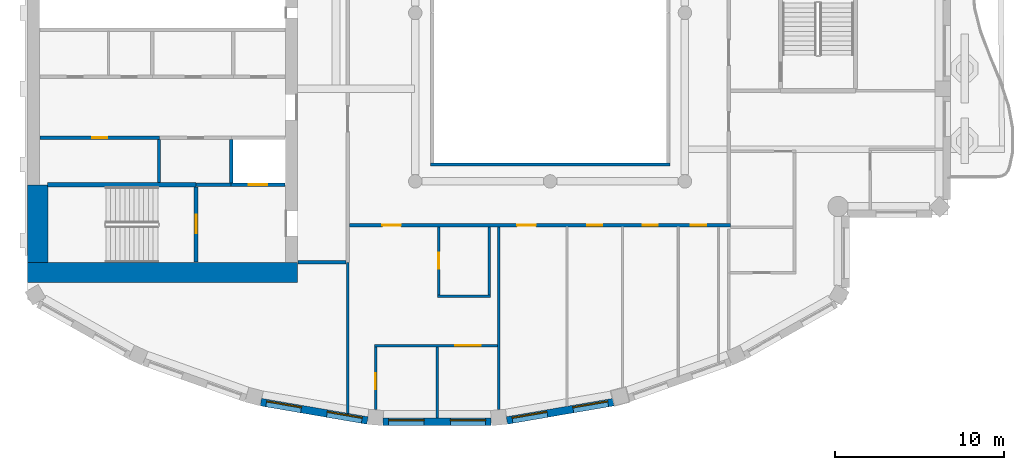
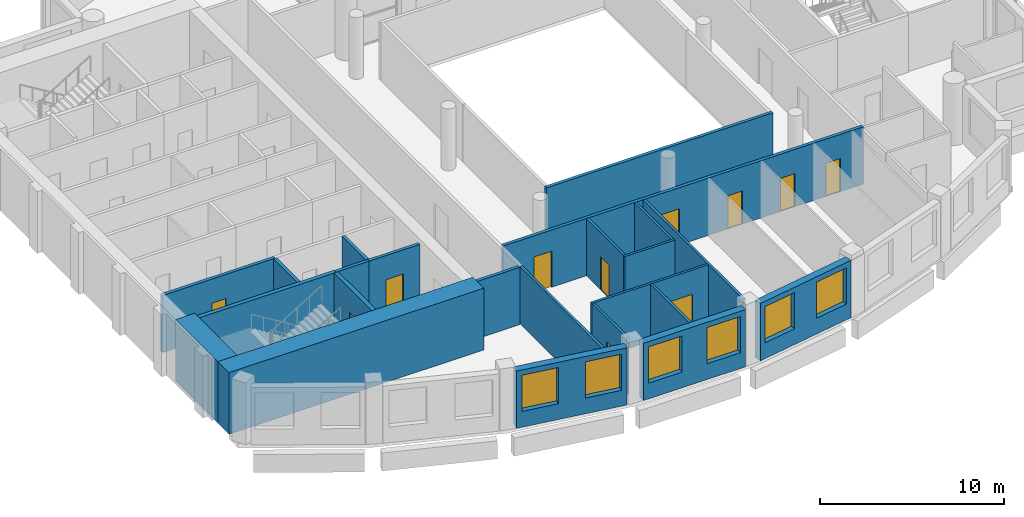
# One storey, part 4 of 15: 23 walls, 11 doors, 6 windows, 17 openings.
"""IFC4 building model written with IfcOpenShell, lengths in metres."""

from ifc_helpers import new_model, si_unit, direction, frame, frame_2d, origin, place, context, subcontext, project, spatial, rectangle, extrude, material, layer, layer_set, type_object, element, fill, save


model = new_model("IFC4")

# Units and contexts
model_context = context("Model", 3, precision=1e-05, world=origin(), true_north=direction((0.0, 1.0)))
body_context = subcontext(model_context, "Body", "Model", "MODEL_VIEW")
ifc_project = project(units=[si_unit("LENGTHUNIT", "METRE"), si_unit("AREAUNIT", "SQUARE_METRE"), si_unit("VOLUMEUNIT", "CUBIC_METRE"), si_unit("PLANEANGLEUNIT", "RADIAN"), si_unit("MASSUNIT", "GRAM", prefix="KILO")], contexts=[model_context])

# Site, building, storey
site_placement = place(None, origin())
site = spatial("IfcSite", under=ifc_project, at=site_placement, CompositionType="ELEMENT")
building_placement = place(site_placement, origin())
building = spatial("IfcBuilding", under=site, at=building_placement, Name="Cypress Arch Tower", CompositionType="ELEMENT")
storey_placement = place(building_placement, frame((0.0, 0.0, 317.199951171875)))
storey = spatial("IfcBuildingStorey", under=building, at=storey_placement, Name="L72", CompositionType="ELEMENT", Elevation=317.199951171875)

# Wall, openings, windows
ifc_material_1 = material(Name="Brick (red buff blend)", Category="masonry")
ifc_layer_1 = layer(ifc_material_1, 0.449951171875)
ifc_layer_set_1 = layer_set([ifc_layer_1], Name="Brick pier and spandrel wall BW450")
wall_type_1 = type_object("IfcWallType", Name="Brick pier and spandrel wall BW450", PredefinedType="SOLIDWALL", material=ifc_layer_set_1)
wall_1_placement = place(storey_placement, frame((-16.15673828125, -23.09716796875, 0.0), z_axis=(0.0, 0.0, 1.0), x_axis=(0.985502073964, -0.169663379113, 0.0)))
wall_1 = element("IfcWall", 1, at=wall_1_placement, inside=storey, type_object=wall_type_1, Name="Brick wall L72 C10.0", PredefinedType="SOLIDWALL", context=body_context, shape_type="SweptSolid", body=[
    extrude(rectangle(XDim=6.412109375, YDim=0.449951171875, at=frame_2d((3.2060546875, 0.0))), origin(), (0.0, 0.0, 1.0), 3.800048828125),
])
opening_1_placement = place(wall_1_placement, frame((0.3271484375, 0.0, 1.050048828125)))
opening_1 = element("IfcOpeningElement", 2, at=opening_1_placement, cuts=wall_1, Name="Opening W210O", PredefinedType="OPENING", context=body_context, shape_type="SweptSolid", body=[
    extrude(rectangle(XDim=2.10009765625, YDim=2.39990234375, at=frame_2d((1.050048828125, 1.199951171875))), frame((0.0, 0.23486328125, 0.0), z_axis=(0.0, -1.0, 0.0), x_axis=(1.0, 0.0, 0.0)), (0.0, 0.0, 1.0), 0.469970703125),
])
opening_2_placement = place(wall_1_placement, frame((3.98486328125, 0.0, 1.050048828125)))
opening_2 = element("IfcOpeningElement", 3, at=opening_2_placement, cuts=wall_1, Name="Opening W210O", PredefinedType="OPENING", context=body_context, shape_type="SweptSolid", body=[
    extrude(rectangle(XDim=2.10009765625, YDim=2.39990234375, at=frame_2d((1.050048828125, 1.199951171875))), frame((0.0, 0.23486328125, 0.0), z_axis=(0.0, -1.0, 0.0), x_axis=(1.0, 0.0, 0.0)), (0.0, 0.0, 1.0), 0.469970703125),
])
ifc_material_2 = material(Name="Anodised aluminium, bronze finish, clear low-emissivity double glazing", Category="aluminium")
window_type = type_object("IfcWindowType", Name="Window Office 2100x2400", PartitioningType="SINGLE_PANEL", PredefinedType="WINDOW", material=ifc_material_2)
window_1_placement = place(opening_1_placement, origin())
window_1 = element("IfcWindow", 4, at=window_1_placement, inside=storey, type_object=window_type, Name="Window L72 C10.0.1", OverallHeight=2.39990234375, OverallWidth=2.10009765625, PartitioningType="SINGLE_PANEL", PredefinedType="WINDOW", context=body_context, shape_type="SweptSolid", body=[
    extrude(rectangle(XDim=2.10009765625, YDim=2.39990234375, at=frame_2d((1.050048828125, 1.199951171875))), frame((0.0, 0.135009765625, 0.0), z_axis=(0.0, -1.0, 0.0), x_axis=(1.0, 0.0, 0.0)), (0.0, 0.0, 1.0), 0.06005859375),
])
fill(opening_1, window_1)
window_2_placement = place(opening_2_placement, origin())
window_2 = element("IfcWindow", 5, at=window_2_placement, inside=storey, type_object=window_type, Name="Window L72 C10.0.2", OverallHeight=2.39990234375, OverallWidth=2.10009765625, PartitioningType="SINGLE_PANEL", PredefinedType="WINDOW", context=body_context, shape_type="SweptSolid", body=[
    extrude(rectangle(XDim=2.10009765625, YDim=2.39990234375, at=frame_2d((1.050048828125, 1.199951171875))), frame((0.0, 0.135009765625, 0.0), z_axis=(0.0, -1.0, 0.0), x_axis=(1.0, 0.0, 0.0)), (0.0, 0.0, 1.0), 0.06005859375),
])
fill(opening_2, window_2)

wall_2_placement = place(storey_placement, frame((-8.90283203125, -24.264892578125, 0.0), z_axis=(0.0, 0.0, 1.0), x_axis=(1.0, 0.0, 0.0)))
wall_2 = element("IfcWall", 6, at=wall_2_placement, inside=storey, type_object=wall_type_1, Name="Brick wall L72 C11.0", PredefinedType="SOLIDWALL", context=body_context, shape_type="SweptSolid", body=[
    extrude(rectangle(XDim=6.405517578125, YDim=0.449951171875, at=frame_2d((3.20263671875, 0.0))), origin(), (0.0, 0.0, 1.0), 3.800048828125),
])
opening_3_placement = place(wall_2_placement, frame((0.325439453125, 0.0, 1.050048828125)))
opening_3 = element("IfcOpeningElement", 7, at=opening_3_placement, cuts=wall_2, Name="Opening W210O", PredefinedType="OPENING", context=body_context, shape_type="SweptSolid", body=[
    extrude(rectangle(XDim=2.10009765625, YDim=2.39990234375, at=frame_2d((1.050048828125, 1.199951171875))), frame((0.0, 0.23486328125, 0.0), z_axis=(0.0, -1.0, 0.0), x_axis=(1.0, 0.0, 0.0)), (0.0, 0.0, 1.0), 0.469970703125),
])
opening_4_placement = place(wall_2_placement, frame((3.97998046875, 0.0, 1.050048828125)))
opening_4 = element("IfcOpeningElement", 8, at=opening_4_placement, cuts=wall_2, Name="Opening W210O", PredefinedType="OPENING", context=body_context, shape_type="SweptSolid", body=[
    extrude(rectangle(XDim=2.10009765625, YDim=2.39990234375, at=frame_2d((1.050048828125, 1.199951171875))), frame((0.0, 0.23486328125, 0.0), z_axis=(0.0, -1.0, 0.0), x_axis=(1.0, 0.0, 0.0)), (0.0, 0.0, 1.0), 0.469970703125),
])
window_3_placement = place(opening_3_placement, origin())
window_3 = element("IfcWindow", 9, at=window_3_placement, inside=storey, type_object=window_type, Name="Window L72 C11.0.1", OverallHeight=2.39990234375, OverallWidth=2.10009765625, PartitioningType="SINGLE_PANEL", PredefinedType="WINDOW", context=body_context, shape_type="SweptSolid", body=[
    extrude(rectangle(XDim=2.10009765625, YDim=2.39990234375, at=frame_2d((1.050048828125, 1.199951171875))), frame((0.0, 0.135009765625, 0.0), z_axis=(0.0, -1.0, 0.0), x_axis=(1.0, 0.0, 0.0)), (0.0, 0.0, 1.0), 0.06005859375),
])
fill(opening_3, window_3)
window_4_placement = place(opening_4_placement, origin())
window_4 = element("IfcWindow", 10, at=window_4_placement, inside=storey, type_object=window_type, Name="Window L72 C11.0.2", OverallHeight=2.39990234375, OverallWidth=2.10009765625, PartitioningType="SINGLE_PANEL", PredefinedType="WINDOW", context=body_context, shape_type="SweptSolid", body=[
    extrude(rectangle(XDim=2.10009765625, YDim=2.39990234375, at=frame_2d((1.050048828125, 1.199951171875))), frame((0.0, 0.135009765625, 0.0), z_axis=(0.0, -1.0, 0.0), x_axis=(1.0, 0.0, 0.0)), (0.0, 0.0, 1.0), 0.06005859375),
])
fill(opening_4, window_4)

wall_3_placement = place(storey_placement, frame((-1.562255859375, -24.18505859375, 0.0), z_axis=(0.0, 0.0, 1.0), x_axis=(0.985502073964, 0.169663379113, 0.0)))
wall_3 = element("IfcWall", 11, at=wall_3_placement, inside=storey, type_object=wall_type_1, Name="Brick wall L72 C12.0", PredefinedType="SOLIDWALL", context=body_context, shape_type="SweptSolid", body=[
    extrude(rectangle(XDim=6.412109375, YDim=0.449951171875, at=frame_2d((3.2060546875, 0.0))), origin(), (0.0, 0.0, 1.0), 3.800048828125),
])
opening_5_placement = place(wall_3_placement, frame((0.3271484375, 0.0, 1.050048828125)))
opening_5 = element("IfcOpeningElement", 12, at=opening_5_placement, cuts=wall_3, Name="Opening W210O", PredefinedType="OPENING", context=body_context, shape_type="SweptSolid", body=[
    extrude(rectangle(XDim=2.10009765625, YDim=2.39990234375, at=frame_2d((1.050048828125, 1.199951171875))), frame((0.0, 0.23486328125, 0.0), z_axis=(0.0, -1.0, 0.0), x_axis=(1.0, 0.0, 0.0)), (0.0, 0.0, 1.0), 0.469970703125),
])
opening_6_placement = place(wall_3_placement, frame((3.98486328125, 0.0, 1.050048828125)))
opening_6 = element("IfcOpeningElement", 13, at=opening_6_placement, cuts=wall_3, Name="Opening W210O", PredefinedType="OPENING", context=body_context, shape_type="SweptSolid", body=[
    extrude(rectangle(XDim=2.10009765625, YDim=2.39990234375, at=frame_2d((1.050048828125, 1.199951171875))), frame((0.0, 0.23486328125, 0.0), z_axis=(0.0, -1.0, 0.0), x_axis=(1.0, 0.0, 0.0)), (0.0, 0.0, 1.0), 0.469970703125),
])
window_5_placement = place(opening_5_placement, origin())
window_5 = element("IfcWindow", 14, at=window_5_placement, inside=storey, type_object=window_type, Name="Window L72 C12.0.1", OverallHeight=2.39990234375, OverallWidth=2.10009765625, PartitioningType="SINGLE_PANEL", PredefinedType="WINDOW", context=body_context, shape_type="SweptSolid", body=[
    extrude(rectangle(XDim=2.10009765625, YDim=2.39990234375, at=frame_2d((1.050048828125, 1.199951171875))), frame((0.0, 0.135009765625, 0.0), z_axis=(0.0, -1.0, 0.0), x_axis=(1.0, 0.0, 0.0)), (0.0, 0.0, 1.0), 0.06005859375),
])
fill(opening_5, window_5)
window_6_placement = place(opening_6_placement, origin())
window_6 = element("IfcWindow", 15, at=window_6_placement, inside=storey, type_object=window_type, Name="Window L72 C12.0.2", OverallHeight=2.39990234375, OverallWidth=2.10009765625, PartitioningType="SINGLE_PANEL", PredefinedType="WINDOW", context=body_context, shape_type="SweptSolid", body=[
    extrude(rectangle(XDim=2.10009765625, YDim=2.39990234375, at=frame_2d((1.050048828125, 1.199951171875))), frame((0.0, 0.135009765625, 0.0), z_axis=(0.0, -1.0, 0.0), x_axis=(1.0, 0.0, 0.0)), (0.0, 0.0, 1.0), 0.06005859375),
])
fill(opening_6, window_6)

# Walls
ifc_material_3 = material(Name="Concrete C60/75", Category="concrete")
ifc_layer_2 = layer(ifc_material_3, 1.199951171875)
ifc_layer_set_2 = layer_set([ifc_layer_2], Name="Core wall CW1200 C60/75")
wall_type_2 = type_object("IfcWallType", Name="Core wall CW1200 C60/75", PredefinedType="SHEAR", material=ifc_layer_set_2)
wall_4_placement = place(storey_placement, frame((-30.0, -15.39990234375, 0.0), z_axis=(0.0, 0.0, 1.0), x_axis=(1.0, 0.0, 0.0)))
element("IfcWall", 16, at=wall_4_placement, inside=storey, type_object=wall_type_2, Name="Core wall", PredefinedType="SHEAR", context=body_context, shape_type="SweptSolid", body=[
    extrude(rectangle(XDim=16.0, YDim=1.199951171875, at=frame_2d((8.0, 0.0))), origin(), (0.0, 0.0, 1.0), 4.10009765625),
])
wall_5_placement = place(storey_placement, frame((-29.39990234375, -14.800048828125, 0.0), z_axis=(0.0, 0.0, 1.0), x_axis=(0.0, 1.0, 0.0)))
element("IfcWall", 17, at=wall_5_placement, inside=storey, type_object=wall_type_2, Name="Core wall", PredefinedType="SHEAR", context=body_context, shape_type="SweptSolid", body=[
    extrude(rectangle(XDim=4.60009765625, YDim=1.199951171875, at=frame_2d((2.300048828125, 0.0))), origin(), (0.0, 0.0, 1.0), 4.10009765625),
])

# Wall, opening, door
ifc_material_4 = material(Name="Concrete blockwork, plastered, rated", Category="masonry")
ifc_layer_3 = layer(ifc_material_4, 0.199951171875)
ifc_layer_set_3 = layer_set([ifc_layer_3], Name="Corridor wall FW200")
wall_type_3 = type_object("IfcWallType", Name="Corridor wall FW200", PredefinedType="PARTITIONING", material=ifc_layer_set_3)
wall_6_placement = place(storey_placement, frame((-29.27001953125, -7.39990234375, 0.0), z_axis=(0.0, 0.0, 1.0), x_axis=(1.0, 0.0, 0.0)))
wall_6 = element("IfcWall", 18, at=wall_6_placement, inside=storey, type_object=wall_type_3, Name="Corridor wall", PredefinedType="PARTITIONING", context=body_context, shape_type="SweptSolid", body=[
    extrude(rectangle(XDim=7.090087890625, YDim=0.199951171875, at=frame_2d((3.544921875, 0.0))), origin(), (0.0, 0.0, 1.0), 3.800048828125),
])
opening_7_placement = place(wall_6_placement, frame((3.10009765625, 0.0, 0.0)))
opening_7 = element("IfcOpeningElement", 19, at=opening_7_placement, cuts=wall_6, Name="Opening D05", PredefinedType="OPENING", context=body_context, shape_type="SweptSolid", body=[
    extrude(rectangle(XDim=0.89990234375, YDim=2.199951171875, at=frame_2d((0.449951171875, 1.10009765625))), frame((0.0, 0.10986328125, 0.0), z_axis=(0.0, -1.0, 0.0), x_axis=(1.0, 0.0, 0.0)), (0.0, 0.0, 1.0), 0.219970703125),
])
ifc_material_5 = material(Name="Timber flush door", Category="wood")
door_type_1 = type_object("IfcDoorType", Name="Service door D05 900x2200", OperationType="SINGLE_SWING_LEFT", PredefinedType="DOOR", material=ifc_material_5)
door_1_placement = place(opening_7_placement, origin())
door_1 = element("IfcDoor", 20, at=door_1_placement, inside=storey, type_object=door_type_1, Name="Service door", OperationType="SINGLE_SWING_LEFT", OverallHeight=2.199951171875, OverallWidth=0.89990234375, PredefinedType="DOOR", context=body_context, shape_type="SweptSolid", body=[
    extrude(rectangle(XDim=0.89990234375, YDim=2.199951171875, at=frame_2d((0.449951171875, 1.10009765625))), frame((0.0, 0.02490234375, 0.0), z_axis=(0.0, -1.0, 0.0), x_axis=(1.0, 0.0, 0.0)), (0.0, 0.0, 1.0), 0.050048828125),
])
fill(opening_7, door_1)

# Wall
wall_7_placement = place(storey_placement, frame((-13.969970703125, -14.800048828125, 0.0), z_axis=(0.0, 0.0, 1.0), x_axis=(1.0, 0.0, 0.0)))
element("IfcWall", 21, at=wall_7_placement, inside=storey, type_object=wall_type_3, Name="Corridor wall", PredefinedType="PARTITIONING", context=body_context, shape_type="SweptSolid", body=[
    extrude(rectangle(XDim=2.869873046875, YDim=0.199951171875, at=frame_2d((1.43505859375, 0.0))), origin(), (0.0, 0.0, 1.0), 3.800048828125),
])

# Wall, openings, doors
wall_8_placement = place(storey_placement, frame((-10.89990234375, -12.60009765625, 0.0), z_axis=(0.0, 0.0, 1.0), x_axis=(1.0, 0.0, 0.0)))
wall_8 = element("IfcWall", 22, at=wall_8_placement, inside=storey, type_object=wall_type_3, Name="Corridor wall", PredefinedType="PARTITIONING", context=body_context, shape_type="SweptSolid", body=[
    extrude(rectangle(XDim=22.599853515625, YDim=0.199951171875, at=frame_2d((11.2998046875, 0.0))), origin(), (0.0, 0.0, 1.0), 3.800048828125),
])
opening_8_placement = place(wall_8_placement, frame((14.10009765625, 0.0, 0.0)))
opening_8 = element("IfcOpeningElement", 23, at=opening_8_placement, cuts=wall_8, Name="Opening D03", PredefinedType="OPENING", context=body_context, shape_type="SweptSolid", body=[
    extrude(rectangle(XDim=0.89990234375, YDim=2.199951171875, at=frame_2d((0.449951171875, 1.10009765625))), frame((0.0, 0.10986328125, 0.0), z_axis=(0.0, -1.0, 0.0), x_axis=(1.0, 0.0, 0.0)), (0.0, 0.0, 1.0), 0.219970703125),
])
opening_9_placement = place(wall_8_placement, frame((17.39990234375, 0.0, 0.0)))
opening_9 = element("IfcOpeningElement", 24, at=opening_9_placement, cuts=wall_8, Name="Opening D03", PredefinedType="OPENING", context=body_context, shape_type="SweptSolid", body=[
    extrude(rectangle(XDim=0.89990234375, YDim=2.199951171875, at=frame_2d((0.449951171875, 1.10009765625))), frame((0.0, 0.10986328125, 0.0), z_axis=(0.0, -1.0, 0.0), x_axis=(1.0, 0.0, 0.0)), (0.0, 0.0, 1.0), 0.219970703125),
])
opening_10_placement = place(wall_8_placement, frame((20.25, 0.0, 0.0)))
opening_10 = element("IfcOpeningElement", 25, at=opening_10_placement, cuts=wall_8, Name="Opening D03", PredefinedType="OPENING", context=body_context, shape_type="SweptSolid", body=[
    extrude(rectangle(XDim=0.89990234375, YDim=2.199951171875, at=frame_2d((0.449951171875, 1.10009765625))), frame((0.0, 0.10986328125, 0.0), z_axis=(0.0, -1.0, 0.0), x_axis=(1.0, 0.0, 0.0)), (0.0, 0.0, 1.0), 0.219970703125),
])
opening_11_placement = place(wall_8_placement, frame((1.949951171875, 0.0, 0.0)))
opening_11 = element("IfcOpeningElement", 26, at=opening_11_placement, cuts=wall_8, Name="Opening D01", PredefinedType="OPENING", context=body_context, shape_type="SweptSolid", body=[
    extrude(rectangle(XDim=1.10009765625, YDim=2.39990234375, at=frame_2d((0.550048828125, 1.199951171875))), frame((0.0, 0.10986328125, 0.0), z_axis=(0.0, -1.0, 0.0), x_axis=(1.0, 0.0, 0.0)), (0.0, 0.0, 1.0), 0.219970703125),
])
opening_12_placement = place(wall_8_placement, frame((9.949951171875, 0.0, 0.0)))
opening_12 = element("IfcOpeningElement", 27, at=opening_12_placement, cuts=wall_8, Name="Opening D01", PredefinedType="OPENING", context=body_context, shape_type="SweptSolid", body=[
    extrude(rectangle(XDim=1.10009765625, YDim=2.39990234375, at=frame_2d((0.550048828125, 1.199951171875))), frame((0.0, 0.10986328125, 0.0), z_axis=(0.0, -1.0, 0.0), x_axis=(1.0, 0.0, 0.0)), (0.0, 0.0, 1.0), 0.219970703125),
])
ifc_material_6 = material(Name="Timber flush door, moisture resistant", Category="wood")
door_type_2 = type_object("IfcDoorType", Name="Bathroom door D03 900x2200", OperationType="SINGLE_SWING_LEFT", PredefinedType="DOOR", material=ifc_material_6)
door_2_placement = place(opening_8_placement, origin())
door_2 = element("IfcDoor", 28, at=door_2_placement, inside=storey, type_object=door_type_2, Name="Bathroom door", OperationType="SINGLE_SWING_LEFT", OverallHeight=2.199951171875, OverallWidth=0.89990234375, PredefinedType="DOOR", context=body_context, shape_type="SweptSolid", body=[
    extrude(rectangle(XDim=0.89990234375, YDim=2.199951171875, at=frame_2d((0.449951171875, 1.10009765625))), frame((0.0, 0.02490234375, 0.0), z_axis=(0.0, -1.0, 0.0), x_axis=(1.0, 0.0, 0.0)), (0.0, 0.0, 1.0), 0.050048828125),
])
fill(opening_8, door_2)
door_3_placement = place(opening_9_placement, origin())
door_3 = element("IfcDoor", 29, at=door_3_placement, inside=storey, type_object=door_type_2, Name="Bathroom door", OperationType="SINGLE_SWING_LEFT", OverallHeight=2.199951171875, OverallWidth=0.89990234375, PredefinedType="DOOR", context=body_context, shape_type="SweptSolid", body=[
    extrude(rectangle(XDim=0.89990234375, YDim=2.199951171875, at=frame_2d((0.449951171875, 1.10009765625))), frame((0.0, 0.02490234375, 0.0), z_axis=(0.0, -1.0, 0.0), x_axis=(1.0, 0.0, 0.0)), (0.0, 0.0, 1.0), 0.050048828125),
])
fill(opening_9, door_3)
door_4_placement = place(opening_10_placement, origin())
door_4 = element("IfcDoor", 30, at=door_4_placement, inside=storey, type_object=door_type_2, Name="Bathroom door", OperationType="SINGLE_SWING_LEFT", OverallHeight=2.199951171875, OverallWidth=0.89990234375, PredefinedType="DOOR", context=body_context, shape_type="SweptSolid", body=[
    extrude(rectangle(XDim=0.89990234375, YDim=2.199951171875, at=frame_2d((0.449951171875, 1.10009765625))), frame((0.0, 0.02490234375, 0.0), z_axis=(0.0, -1.0, 0.0), x_axis=(1.0, 0.0, 0.0)), (0.0, 0.0, 1.0), 0.050048828125),
])
fill(opening_10, door_4)
ifc_material_7 = material(Name="Timber flush door, fire resisting, self-closing", Category="wood")
door_type_3 = type_object("IfcDoorType", Name="Unit entrance door D01 1100x2400", OperationType="SINGLE_SWING_LEFT", PredefinedType="DOOR", material=ifc_material_7)
door_5_placement = place(opening_11_placement, origin())
door_5 = element("IfcDoor", 31, at=door_5_placement, inside=storey, type_object=door_type_3, Name="Unit entrance door", OperationType="SINGLE_SWING_RIGHT", OverallHeight=2.39990234375, OverallWidth=1.10009765625, PredefinedType="DOOR", context=body_context, shape_type="SweptSolid", body=[
    extrude(rectangle(XDim=1.10009765625, YDim=2.39990234375, at=frame_2d((0.550048828125, 1.199951171875))), frame((0.0, 0.02490234375, 0.0), z_axis=(0.0, -1.0, 0.0), x_axis=(1.0, 0.0, 0.0)), (0.0, 0.0, 1.0), 0.050048828125),
])
fill(opening_11, door_5)
door_6_placement = place(opening_12_placement, origin())
door_6 = element("IfcDoor", 32, at=door_6_placement, inside=storey, type_object=door_type_3, Name="Unit entrance door", OperationType="SINGLE_SWING_RIGHT", OverallHeight=2.39990234375, OverallWidth=1.10009765625, PredefinedType="DOOR", context=body_context, shape_type="SweptSolid", body=[
    extrude(rectangle(XDim=1.10009765625, YDim=2.39990234375, at=frame_2d((0.550048828125, 1.199951171875))), frame((0.0, 0.02490234375, 0.0), z_axis=(0.0, -1.0, 0.0), x_axis=(1.0, 0.0, 0.0)), (0.0, 0.0, 1.0), 0.050048828125),
])
fill(opening_12, door_6)

# Walls
wall_9_placement = place(storey_placement, frame((-6.10009765625, -9.0, 0.0), z_axis=(0.0, 0.0, 1.0), x_axis=(1.0, 0.0, 0.0)))
element("IfcWall", 33, at=wall_9_placement, inside=storey, type_object=wall_type_3, Name="Corridor wall", PredefinedType="PARTITIONING", context=body_context, shape_type="SweptSolid", body=[
    extrude(rectangle(XDim=14.2001953125, YDim=0.199951171875, at=frame_2d((7.10009765625, 0.0))), origin(), (0.0, 0.0, 1.0), 3.800048828125),
])
ifc_material_8 = material(Name="Blockwork, plastered both sides", Category="masonry")
ifc_layer_4 = layer(ifc_material_8, 0.14990234375)
ifc_layer_set_4 = layer_set([ifc_layer_4], Name="Partition PW150")
wall_type_4 = type_object("IfcWallType", Name="Partition PW150", PredefinedType="PARTITIONING", material=ifc_layer_set_4)
wall_10_placement = place(storey_placement, frame((-11.0, -23.756591796875, 0.0), z_axis=(0.0, 0.0, 1.0), x_axis=(0.0, 1.0, 0.0)))
element("IfcWall", 34, at=wall_10_placement, inside=storey, type_object=wall_type_4, Name="Partition", PredefinedType="PARTITIONING", context=body_context, shape_type="SweptSolid", body=[
    extrude(rectangle(XDim=8.9365234375, YDim=0.14990234375, at=frame_2d((4.46826171875, 0.0))), origin(), (0.0, 0.0, 1.0), 3.800048828125),
])

# Wall, opening, door
wall_11_placement = place(storey_placement, frame((-9.35400390625, -23.54150390625, 0.0), z_axis=(0.0, 0.0, 1.0), x_axis=(0.0, 1.0, 0.0)))
wall_11 = element("IfcWall", 35, at=wall_11_placement, inside=storey, type_object=wall_type_4, Name="Partition", PredefinedType="PARTITIONING", context=body_context, shape_type="SweptSolid", body=[
    extrude(rectangle(XDim=3.7265625, YDim=0.14990234375, at=frame_2d((1.86328125, 0.0))), origin(), (0.0, 0.0, 1.0), 3.800048828125),
])
opening_13_placement = place(wall_11_placement, frame((1.199951171875, 0.0, 0.0)))
opening_13 = element("IfcOpeningElement", 36, at=opening_13_placement, cuts=wall_11, Name="Opening D12", PredefinedType="OPENING", context=body_context, shape_type="SweptSolid", body=[
    extrude(rectangle(XDim=0.949951171875, YDim=2.199951171875, at=frame_2d((0.47509765625, 1.10009765625))), frame((0.0, 0.0849609375, 0.0), z_axis=(0.0, -1.0, 0.0), x_axis=(1.0, 0.0, 0.0)), (0.0, 0.0, 1.0), 0.169921875),
])
ifc_material_9 = material(Name="Timber flush door", Category="wood")
door_type_4 = type_object("IfcDoorType", Name="Room door D12 950x2200", OperationType="SINGLE_SWING_LEFT", PredefinedType="DOOR", material=ifc_material_9)
door_7_placement = place(opening_13_placement, origin())
door_7 = element("IfcDoor", 37, at=door_7_placement, inside=storey, type_object=door_type_4, Name="Room door", OperationType="SINGLE_SWING_LEFT", OverallHeight=2.199951171875, OverallWidth=0.949951171875, PredefinedType="DOOR", context=body_context, shape_type="SweptSolid", body=[
    extrude(rectangle(XDim=0.949951171875, YDim=2.199951171875, at=frame_2d((0.47509765625, 1.10009765625))), frame((0.0, 0.02490234375, 0.0), z_axis=(0.0, -1.0, 0.0), x_axis=(1.0, 0.0, 0.0)), (0.0, 0.0, 1.0), 0.050048828125),
])
fill(opening_13, door_7)

wall_12_placement = place(storey_placement, frame((-9.428955078125, -19.739990234375, 0.0), z_axis=(0.0, 0.0, 1.0), x_axis=(1.0, 0.0, 0.0)))
wall_12 = element("IfcWall", 38, at=wall_12_placement, inside=storey, type_object=wall_type_4, Name="Partition", PredefinedType="PARTITIONING", context=body_context, shape_type="SweptSolid", body=[
    extrude(rectangle(XDim=7.307861328125, YDim=0.14990234375, at=frame_2d((3.65380859375, 0.0))), origin(), (0.0, 0.0, 1.0), 3.800048828125),
])
opening_14_placement = place(wall_12_placement, frame((4.800048828125, 0.0, 0.0)))
opening_14 = element("IfcOpeningElement", 39, at=opening_14_placement, cuts=wall_12, Name="Opening D04", PredefinedType="OPENING", context=body_context, shape_type="SweptSolid", body=[
    extrude(rectangle(XDim=1.5, YDim=2.199951171875, at=frame_2d((0.75, 1.10009765625))), frame((0.0, 0.0849609375, 0.0), z_axis=(0.0, -1.0, 0.0), x_axis=(1.0, 0.0, 0.0)), (0.0, 0.0, 1.0), 0.169921875),
])
ifc_material_10 = material(Name="Timber double door", Category="wood")
door_type_5 = type_object("IfcDoorType", Name="Double door D04 1500x2200", OperationType="DOUBLE_DOOR_SINGLE_SWING", PredefinedType="DOOR", material=ifc_material_10)
door_8_placement = place(opening_14_placement, origin())
door_8 = element("IfcDoor", 40, at=door_8_placement, inside=storey, type_object=door_type_5, Name="Double door", OperationType="DOUBLE_DOOR_SINGLE_SWING", OverallHeight=2.199951171875, OverallWidth=1.5, PredefinedType="DOOR", context=body_context, shape_type="SweptSolid", body=[
    extrude(rectangle(XDim=1.5, YDim=2.199951171875, at=frame_2d((0.75, 1.10009765625))), frame((0.0, 0.02490234375, 0.0), z_axis=(0.0, -1.0, 0.0), x_axis=(1.0, 0.0, 0.0)), (0.0, 0.0, 1.0), 0.050048828125),
])
fill(opening_14, door_8)

# Wall
wall_13_placement = place(storey_placement, frame((-5.699951171875, -24.0400390625, 0.0), z_axis=(0.0, 0.0, 1.0), x_axis=(0.0, 1.0, 0.0)))
element("IfcWall", 41, at=wall_13_placement, inside=storey, type_object=wall_type_4, Name="Partition", PredefinedType="PARTITIONING", context=body_context, shape_type="SweptSolid", body=[
    extrude(rectangle(XDim=4.22509765625, YDim=0.14990234375, at=frame_2d((2.112548828125, 0.0))), origin(), (0.0, 0.0, 1.0), 3.800048828125),
])

# Wall, opening, door
wall_14_placement = place(storey_placement, frame((-5.60009765625, -16.72509765625, 0.0), z_axis=(0.0, 0.0, 1.0), x_axis=(0.0, 1.0, 0.0)))
wall_14 = element("IfcWall", 42, at=wall_14_placement, inside=storey, type_object=wall_type_4, Name="Partition", PredefinedType="PARTITIONING", context=body_context, shape_type="SweptSolid", body=[
    extrude(rectangle(XDim=4.025146484375, YDim=0.14990234375, at=frame_2d((2.0126953125, 0.0))), origin(), (0.0, 0.0, 1.0), 3.800048828125),
])
opening_15_placement = place(wall_14_placement, frame((1.550048828125, 0.0, 0.0)))
opening_15 = element("IfcOpeningElement", 43, at=opening_15_placement, cuts=wall_14, Name="Opening D12", PredefinedType="OPENING", context=body_context, shape_type="SweptSolid", body=[
    extrude(rectangle(XDim=0.949951171875, YDim=2.199951171875, at=frame_2d((0.47509765625, 1.10009765625))), frame((0.0, 0.0849609375, 0.0), z_axis=(0.0, -1.0, 0.0), x_axis=(1.0, 0.0, 0.0)), (0.0, 0.0, 1.0), 0.169921875),
])
door_9_placement = place(opening_15_placement, origin())
door_9 = element("IfcDoor", 44, at=door_9_placement, inside=storey, type_object=door_type_4, Name="Room door", OperationType="SINGLE_SWING_RIGHT", OverallHeight=2.199951171875, OverallWidth=0.949951171875, PredefinedType="DOOR", context=body_context, shape_type="SweptSolid", body=[
    extrude(rectangle(XDim=0.949951171875, YDim=2.199951171875, at=frame_2d((0.47509765625, 1.10009765625))), frame((0.0, 0.02490234375, 0.0), z_axis=(0.0, -1.0, 0.0), x_axis=(1.0, 0.0, 0.0)), (0.0, 0.0, 1.0), 0.050048828125),
])
fill(opening_15, door_9)

# Walls
wall_15_placement = place(storey_placement, frame((-5.675048828125, -16.800048828125, 0.0), z_axis=(0.0, 0.0, 1.0), x_axis=(1.0, 0.0, 0.0)))
element("IfcWall", 45, at=wall_15_placement, inside=storey, type_object=wall_type_4, Name="Partition", PredefinedType="PARTITIONING", context=body_context, shape_type="SweptSolid", body=[
    extrude(rectangle(XDim=3.150146484375, YDim=0.14990234375, at=frame_2d((1.5751953125, 0.0))), origin(), (0.0, 0.0, 1.0), 3.800048828125),
])
wall_16_placement = place(storey_placement, frame((-2.60009765625, -16.72509765625, 0.0), z_axis=(0.0, 0.0, 1.0), x_axis=(0.0, 1.0, 0.0)))
element("IfcWall", 46, at=wall_16_placement, inside=storey, type_object=wall_type_4, Name="Partition", PredefinedType="PARTITIONING", context=body_context, shape_type="SweptSolid", body=[
    extrude(rectangle(XDim=4.025146484375, YDim=0.14990234375, at=frame_2d((2.0126953125, 0.0))), origin(), (0.0, 0.0, 1.0), 3.800048828125),
])
wall_17_placement = place(storey_placement, frame((-2.0458984375, -23.54150390625, 0.0), z_axis=(0.0, 0.0, 1.0), x_axis=(0.0, 1.0, 0.0)))
element("IfcWall", 47, at=wall_17_placement, inside=storey, type_object=wall_type_4, Name="Partition", PredefinedType="PARTITIONING", context=body_context, shape_type="SweptSolid", body=[
    extrude(rectangle(XDim=10.841552734375, YDim=0.14990234375, at=frame_2d((5.4208984375, 0.0))), origin(), (0.0, 0.0, 1.0), 3.800048828125),
])
ifc_material_11 = material(Name="Reinforced blockwork, plastered, rated", Category="masonry")
ifc_layer_5 = layer(ifc_material_11, 0.199951171875)
ifc_layer_set_5 = layer_set([ifc_layer_5], Name="Plant and riser wall PL200")
wall_type_5 = type_object("IfcWallType", Name="Plant and riser wall PL200", PredefinedType="PARTITIONING", material=ifc_layer_set_5)
wall_18_placement = place(storey_placement, frame((-22.199951171875, -10.074951171875, 0.0), z_axis=(0.0, 0.0, 1.0), x_axis=(0.0, 1.0, 0.0)))
element("IfcWall", 48, at=wall_18_placement, inside=storey, type_object=wall_type_5, Name="Plant and riser wall", PredefinedType="PARTITIONING", context=body_context, shape_type="SweptSolid", body=[
    extrude(rectangle(XDim=2.574951171875, YDim=0.199951171875, at=frame_2d((1.28759765625, 0.0))), origin(), (0.0, 0.0, 1.0), 3.800048828125),
])
wall_19_placement = place(storey_placement, frame((-20.0, -10.199951171875, 0.0), z_axis=(0.0, 0.0, 1.0), x_axis=(1.0, 0.0, 0.0)))
element("IfcWall", 49, at=wall_19_placement, inside=storey, type_object=wall_type_5, Name="Plant and riser wall", PredefinedType="PARTITIONING", context=body_context, shape_type="SweptSolid", body=[
    extrude(rectangle(XDim=2.080078125, YDim=0.199951171875, at=frame_2d((1.0400390625, 0.0))), origin(), (0.0, 0.0, 1.0), 3.800048828125),
])
ifc_material_12 = material(Name="Concrete C50/60", Category="concrete")
ifc_layer_6 = layer(ifc_material_12, 0.199951171875)
ifc_layer_set_6 = layer_set([ifc_layer_6], Name="Shaft wall SH200")
wall_type_6 = type_object("IfcWallType", Name="Shaft wall SH200", PredefinedType="SHEAR", material=ifc_layer_set_6)
wall_20_placement = place(storey_placement, frame((-17.919921875, -10.10009765625, 0.0), z_axis=(0.0, 0.0, 1.0), x_axis=(0.0, 1.0, 0.0)))
element("IfcWall", 50, at=wall_20_placement, inside=storey, type_object=wall_type_6, Name="Shaft wall", PredefinedType="SHEAR", context=body_context, shape_type="SweptSolid", body=[
    extrude(rectangle(XDim=2.60009765625, YDim=0.199951171875, at=frame_2d((1.300048828125, 0.0))), origin(), (0.0, 0.0, 1.0), 3.800048828125),
])

# Wall, opening, door
wall_21_placement = place(storey_placement, frame((-17.919921875, -10.199951171875, 0.0), z_axis=(0.0, 0.0, 1.0), x_axis=(1.0, 0.0, 0.0)))
wall_21 = element("IfcWall", 51, at=wall_21_placement, inside=storey, type_object=wall_type_6, Name="Shaft wall", PredefinedType="SHEAR", context=body_context, shape_type="SweptSolid", body=[
    extrude(rectangle(XDim=3.18994140625, YDim=0.199951171875, at=frame_2d((1.594970703125, 0.0))), origin(), (0.0, 0.0, 1.0), 3.800048828125),
])
opening_16_placement = place(wall_21_placement, frame((1.050048828125, 0.0, 0.0)))
opening_16 = element("IfcOpeningElement", 52, at=opening_16_placement, cuts=wall_21, Name="Opening LD-FL1", PredefinedType="OPENING", context=body_context, shape_type="SweptSolid", body=[
    extrude(rectangle(XDim=1.10009765625, YDim=2.199951171875, at=frame_2d((0.550048828125, 1.10009765625))), frame((0.0, 0.10986328125, 0.0), z_axis=(0.0, -1.0, 0.0), x_axis=(1.0, 0.0, 0.0)), (0.0, 0.0, 1.0), 0.219970703125),
])
ifc_material_13 = material(Name="Stainless steel centre-opening landing door, rated", Category="steel")
door_type_6 = type_object("IfcDoorType", Name="Lift landing door LD 1100x2200", OperationType="DOUBLE_DOOR_SLIDING", PredefinedType="DOOR", material=ifc_material_13)
door_10_placement = place(opening_16_placement, origin())
door_10 = element("IfcDoor", 53, at=door_10_placement, inside=storey, type_object=door_type_6, Name="Lift landing doors FL1", OperationType="DOUBLE_DOOR_SLIDING", OverallHeight=2.199951171875, OverallWidth=1.10009765625, PredefinedType="DOOR", context=body_context, shape_type="SweptSolid", body=[
    extrude(rectangle(XDim=1.10009765625, YDim=2.199951171875, at=frame_2d((0.550048828125, 1.10009765625))), frame((0.0, 0.02490234375, 0.0), z_axis=(0.0, -1.0, 0.0), x_axis=(1.0, 0.0, 0.0)), (0.0, 0.0, 1.0), 0.050048828125),
])
fill(opening_16, door_10)

# Wall
ifc_material_14 = material(Name="Concrete C50/60", Category="concrete")
ifc_layer_7 = layer(ifc_material_14, 0.25)
ifc_layer_set_7 = layer_set([ifc_layer_7], Name="Stair enclosure wall SW250")
wall_type_7 = type_object("IfcWallType", Name="Stair enclosure wall SW250", PredefinedType="SHEAR", material=ifc_layer_set_7)
wall_22_placement = place(storey_placement, frame((-28.81005859375, -10.199951171875, 0.0), z_axis=(0.0, 0.0, 1.0), x_axis=(1.0, 0.0, 0.0)))
element("IfcWall", 54, at=wall_22_placement, inside=storey, type_object=wall_type_7, Name="Stair enclosure wall", PredefinedType="SHEAR", context=body_context, shape_type="SweptSolid", body=[
    extrude(rectangle(XDim=8.81005859375, YDim=0.25, at=frame_2d((4.405029296875, 0.0))), origin(), (0.0, 0.0, 1.0), 3.800048828125),
])

# Wall, opening, door
wall_23_placement = place(storey_placement, frame((-20.0, -14.77001953125, 0.0), z_axis=(0.0, 0.0, 1.0), x_axis=(0.0, 1.0, 0.0)))
wall_23 = element("IfcWall", 55, at=wall_23_placement, inside=storey, type_object=wall_type_7, Name="Stair enclosure wall", PredefinedType="SHEAR", context=body_context, shape_type="SweptSolid", body=[
    extrude(rectangle(XDim=4.445068359375, YDim=0.25, at=frame_2d((2.22265625, 0.0))), origin(), (0.0, 0.0, 1.0), 3.800048828125),
])
opening_17_placement = place(wall_23_placement, frame((1.699951171875, 0.0, 0.0)))
opening_17 = element("IfcOpeningElement", 56, at=opening_17_placement, cuts=wall_23, Name="Opening D06", PredefinedType="OPENING", context=body_context, shape_type="SweptSolid", body=[
    extrude(rectangle(XDim=1.10009765625, YDim=2.199951171875, at=frame_2d((0.550048828125, 1.10009765625))), frame((0.0, 0.135009765625, 0.0), z_axis=(0.0, -1.0, 0.0), x_axis=(1.0, 0.0, 0.0)), (0.0, 0.0, 1.0), 0.27001953125),
])
ifc_material_15 = material(Name="Steel door, fire resisting, panic bar", Category="steel")
door_type_7 = type_object("IfcDoorType", Name="Stair door D06 1100x2200", OperationType="SINGLE_SWING_LEFT", PredefinedType="DOOR", material=ifc_material_15)
door_11_placement = place(opening_17_placement, origin())
door_11 = element("IfcDoor", 57, at=door_11_placement, inside=storey, type_object=door_type_7, Name="Stair door", OperationType="SINGLE_SWING_RIGHT", OverallHeight=2.199951171875, OverallWidth=1.10009765625, PredefinedType="DOOR", context=body_context, shape_type="SweptSolid", body=[
    extrude(rectangle(XDim=1.10009765625, YDim=2.199951171875, at=frame_2d((0.550048828125, 1.10009765625))), frame((0.0, 0.02490234375, 0.0), z_axis=(0.0, -1.0, 0.0), x_axis=(1.0, 0.0, 0.0)), (0.0, 0.0, 1.0), 0.050048828125),
])
fill(opening_17, door_11)

save(model, "model.ifc")
